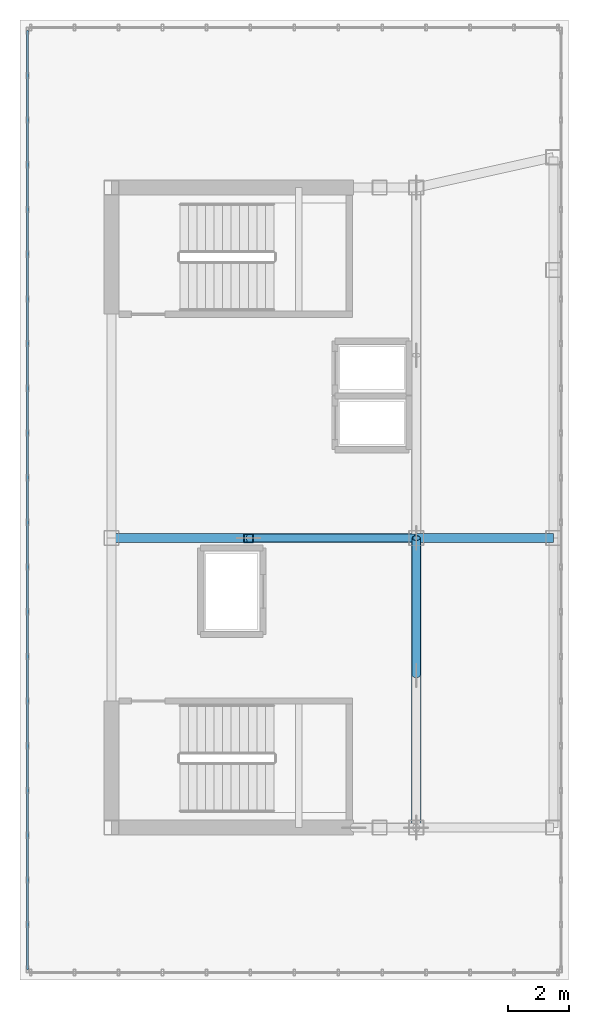
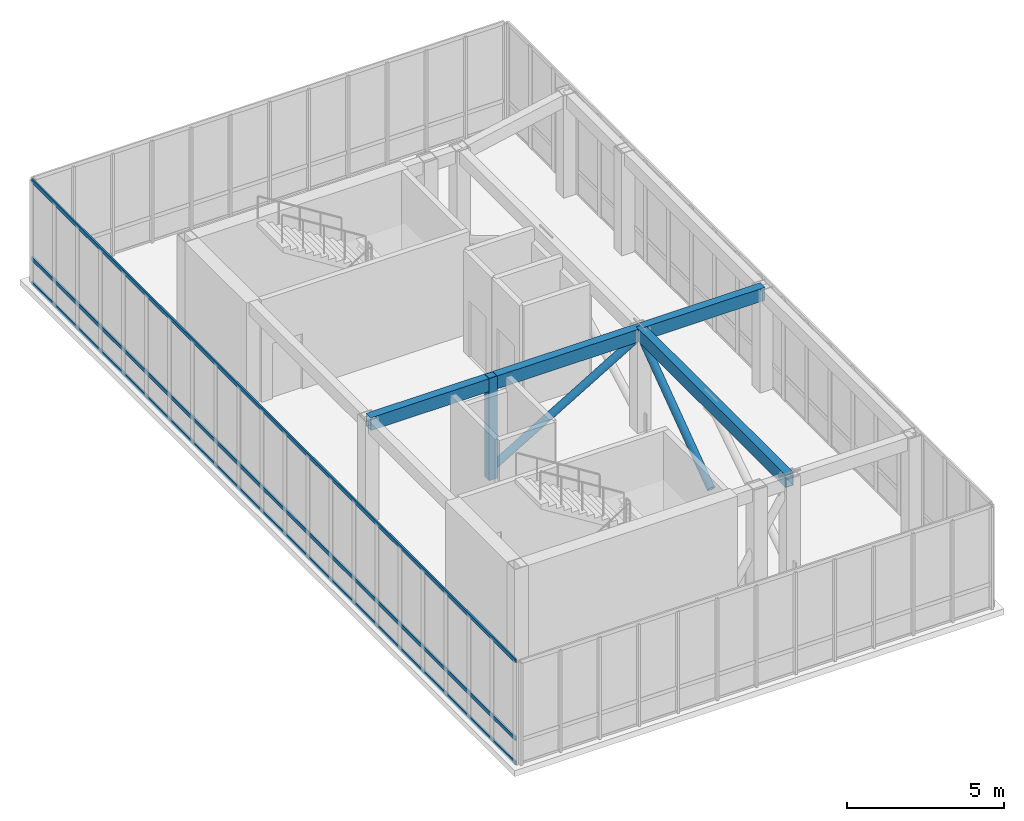
# One storey, part 5 of 13: 6 members, 3 beams, 1 element without a shape of its own.
"""IFC4 building model written with IfcOpenShell, lengths in metres."""

from ifc_helpers import new_model, si_unit, direction, frame, origin, origin_2d, place, context, subcontext, project, spatial, hollow_rectangle, hollow_circle, extrude, source, transform, mapped, material, layer, layer_set, material_profile, profile_set, type_object, element, aggregate, save


model = new_model("IFC4")

# Units and contexts
model_context = context("Model", 3, precision=1e-05, world=origin(), true_north=direction((0.0, 1.0)))
body_context = subcontext(model_context, "Body", "Model", "MODEL_VIEW")
ifc_project = project(units=[si_unit("LENGTHUNIT", "METRE"), si_unit("AREAUNIT", "SQUARE_METRE"), si_unit("VOLUMEUNIT", "CUBIC_METRE"), si_unit("PLANEANGLEUNIT", "RADIAN"), si_unit("MASSUNIT", "GRAM", prefix="KILO")], contexts=[model_context])

# Site, building, storey
site_placement = place(None, origin())
site = spatial("IfcSite", under=ifc_project, at=site_placement, CompositionType="ELEMENT")
building_placement = place(site_placement, origin())
building = spatial("IfcBuilding", under=site, at=building_placement, Name="Kharzan Plaza Tower", CompositionType="ELEMENT")
storey_placement = place(building_placement, frame((0.0, 0.0, 277.199951171875)))
storey = spatial("IfcBuildingStorey", under=building, at=storey_placement, Name="L75-CROWN", CompositionType="ELEMENT", Elevation=277.199951171875)

# Beams
ifc_material_1 = material(Name="Steel S355", Category="steel")
ifc_material_profile_1 = material_profile(ifc_material_1, hollow_rectangle(XDim=0.300048828125, YDim=0.5, WallThickness=0.02001953125, at=origin_2d()), Name="RHS500x300x20")
ifc_profile_set_1 = profile_set([ifc_material_profile_1], Name="Steel S355")
beam_type = type_object("IfcBeamType", Name="BM-CRN500", PredefinedType="BEAM", material=ifc_profile_set_1)
shared_shape_1 = source(origin(), body_context, "Body", "SweptSolid", [
    extrude(hollow_rectangle(XDim=0.300048828125, YDim=0.5, WallThickness=0.02001953125, at=origin_2d()), origin(), (0.0, 0.0, 1.0), 9.5),
])
beam_1_placement = place(storey_placement, frame((14.5, 8.5, 3.719970703125), z_axis=(0.0, 1.0, 0.0), x_axis=(-1.0, 0.0, 0.0)))
element("IfcBeam", 1, at=beam_1_placement, inside=storey, type_object=beam_type, Name="L75-CROWN CROWN FRAME Lantern Ring Beam CRB-M1", PredefinedType="BEAM", context=body_context, shape_type="MappedRepresentation", body=[
    mapped(shared_shape_1, transform((0.0, 0.0, 0.0), x_axis=(1.0, 0.0, 0.0), y_axis=(0.0, 1.0, 0.0), z_axis=(0.0, 0.0, 1.0))),
])
shared_shape_2 = source(origin(), body_context, "Body", "SweptSolid", [
    extrude(hollow_rectangle(XDim=0.300048828125, YDim=0.5, WallThickness=0.02001953125, at=origin_2d()), origin(), (0.0, 0.0, 1.0), 10.0),
])
beam_2_placement = place(storey_placement, frame((4.5, 18.0, 3.719970703125), z_axis=(1.0, 0.0, 0.0), x_axis=(0.0, 1.0, 0.0)))
element("IfcBeam", 2, at=beam_2_placement, inside=storey, type_object=beam_type, Name="L75-CROWN CROWN FRAME Lantern Ring Beam CRB-I1", PredefinedType="BEAM", context=body_context, shape_type="MappedRepresentation", body=[
    mapped(shared_shape_2, transform((0.0, 0.0, 0.0), x_axis=(1.0, 0.0, 0.0), y_axis=(0.0, 1.0, 0.0), z_axis=(0.0, 0.0, 1.0))),
])
shared_shape_3 = source(origin(), body_context, "Body", "SweptSolid", [
    extrude(hollow_rectangle(XDim=0.300048828125, YDim=0.5, WallThickness=0.02001953125, at=origin_2d()), origin(), (0.0, 0.0, 1.0), 4.5),
])
beam_3_placement = place(storey_placement, frame((14.5, 18.0, 3.719970703125), z_axis=(1.0, 0.0, 0.0), x_axis=(0.0, 1.0, 0.0)))
element("IfcBeam", 3, at=beam_3_placement, inside=storey, type_object=beam_type, Name="L75-CROWN CROWN FRAME Lantern Ring Beam CRB-I2", PredefinedType="BEAM", context=body_context, shape_type="MappedRepresentation", body=[
    mapped(shared_shape_3, transform((0.0, 0.0, 0.0), x_axis=(1.0, 0.0, 0.0), y_axis=(0.0, 1.0, 0.0), z_axis=(0.0, 0.0, 1.0))),
])

# Members
ifc_material_profile_2 = material_profile(ifc_material_1, hollow_circle(Radius=0.136474609375, WallThickness=0.010009765625, at=origin_2d()), Name="CHS273x10")
ifc_profile_set_2 = profile_set([ifc_material_profile_2], Name="Steel S355")
member_type_1 = type_object("IfcMemberType", Name="MEM-CRN-DIAG", PredefinedType="BRACE", material=ifc_profile_set_2)
shared_shape_4 = source(origin(), body_context, "Body", "SweptSolid", [
    extrude(hollow_circle(Radius=0.136474609375, WallThickness=0.010009765625, at=origin_2d()), origin(), (0.0, 0.0, 1.0), 6.398681640625),
])
member_1_placement = place(storey_placement, frame((9.0, 18.0, 0.35009765625), z_axis=(0.859553101499, 0.0, 0.511046441827), x_axis=(0.0, 1.0, 0.0)))
element("IfcMember", 4, at=member_1_placement, inside=storey, type_object=member_type_1, Name="L75-CROWN CROWN FRAME Diagonal Wind Brace CRD-W1", PredefinedType="BRACE", context=body_context, shape_type="MappedRepresentation", body=[
    mapped(shared_shape_4, transform((0.0, 0.0, 0.0), x_axis=(1.0, 0.0, 0.0), y_axis=(0.0, 1.0, 0.0), z_axis=(0.0, 0.0, 1.0))),
])
shared_shape_5 = source(origin(), body_context, "Body", "SweptSolid", [
    extrude(hollow_circle(Radius=0.136474609375, WallThickness=0.010009765625, at=origin_2d()), origin(), (0.0, 0.0, 1.0), 5.562744140625),
])
member_2_placement = place(storey_placement, frame((14.5, 13.5, 0.35009765625), z_axis=(0.0, 0.808967567345, 0.587853276748), x_axis=(-1.0, 0.0, 0.0)))
element("IfcMember", 5, at=member_2_placement, inside=storey, type_object=member_type_1, Name="L75-CROWN CROWN FRAME Diagonal Wind Brace CRD-S2", PredefinedType="BRACE", context=body_context, shape_type="MappedRepresentation", body=[
    mapped(shared_shape_5, transform((0.0, 0.0, 0.0), x_axis=(1.0, 0.0, 0.0), y_axis=(0.0, 1.0, 0.0), z_axis=(0.0, 0.0, 1.0))),
])
ifc_material_profile_3 = material_profile(ifc_material_1, hollow_rectangle(XDim=0.300048828125, YDim=0.300048828125, WallThickness=0.01611328125, at=origin_2d()), Name="SHS300x300x16")
ifc_profile_set_3 = profile_set([ifc_material_profile_3], Name="Steel S355")
member_type_2 = type_object("IfcMemberType", Name="MEM-CRN-POST", PredefinedType="POST", material=ifc_profile_set_3)
shared_shape_6 = source(origin(), body_context, "Body", "SweptSolid", [
    extrude(hollow_rectangle(XDim=0.300048828125, YDim=0.300048828125, WallThickness=0.01611328125, at=origin_2d()), origin(), (0.0, 0.0, 1.0), 3.969970703125),
])
member_3_placement = place(storey_placement, frame((9.0, 18.0, 0.0), z_axis=(0.0, 0.0, 1.0), x_axis=(1.0, 0.0, 0.0)))
element("IfcMember", 6, at=member_3_placement, inside=storey, type_object=member_type_2, Name="L75-CROWN CROWN FRAME Lantern Post 1", PredefinedType="POST", context=body_context, shape_type="MappedRepresentation", body=[
    mapped(shared_shape_6, transform((0.0, 0.0, 0.0), x_axis=(1.0, 0.0, 0.0), y_axis=(0.0, 1.0, 0.0), z_axis=(0.0, 0.0, 1.0))),
])

# Curtain wall, members
ifc_material_2 = material(Name="Unitised Bronze-Anodized Aluminium and Low-E Glass", Category="aluminium")
ifc_layer = layer(ifc_material_2, 0.199951171875)
ifc_layer_set = layer_set([ifc_layer], Name="Unitised Bronze-Anodized Aluminium and Low-E Glass")
curtain_wall_type = type_object("IfcCurtainWallType", Name="CW-LANTERN-6", PredefinedType="NOTDEFINED", material=ifc_layer_set)
curtain_wall_placement = place(storey_placement, origin())
curtain_wall = element("IfcCurtainWall", 7, at=curtain_wall_placement, inside=storey, type_object=curtain_wall_type, Name="L75-CROWN Lantern Crown Illuminated Curtain Wall 4", PredefinedType="NOTDEFINED")
ifc_material_3 = material(Name="Anodized Bronze Aluminium", Category="aluminium")
ifc_material_profile_4 = material_profile(ifc_material_3, hollow_rectangle(XDim=0.06005859375, YDim=0.14990234375, WallThickness=0.00341796875, at=origin_2d()), Name="ALU-T150x60x3.5")
ifc_profile_set_4 = profile_set([ifc_material_profile_4], Name="Anodized Bronze Aluminium")
member_type_3 = type_object("IfcMemberType", Name="MEM-CW-TRN150", PredefinedType="USERDEFINED", material=ifc_profile_set_4)
shared_shape_7 = source(origin(), body_context, "Body", "SweptSolid", [
    extrude(hollow_rectangle(XDim=0.06005859375, YDim=0.14990234375, WallThickness=0.00341796875, at=origin_2d()), origin(), (0.0, 0.0, 1.0), 30.7998046875),
])
member_4_placement = place(storey_placement, frame((1.75, 34.64990234375, 0.0), z_axis=(0.0, -1.0, 0.0), x_axis=(1.0, 0.0, 0.0)))
member_4 = element("IfcMember", 8, at=member_4_placement, type_object=member_type_3, Name="L75-CROWN Curtain-Wall Transom 1", ObjectType="TRANSOM", PredefinedType="USERDEFINED", context=body_context, shape_type="MappedRepresentation", body=[
    mapped(shared_shape_7, transform((0.0, 0.0, 0.0), x_axis=(1.0, 0.0, 0.0), y_axis=(0.0, 1.0, 0.0), z_axis=(0.0, 0.0, 1.0))),
])
member_5_placement = place(storey_placement, frame((1.75, 34.64990234375, 0.949951171875), z_axis=(0.0, -1.0, 0.0), x_axis=(1.0, 0.0, 0.0)))
member_5 = element("IfcMember", 9, at=member_5_placement, type_object=member_type_3, Name="L75-CROWN Curtain-Wall Transom 2", ObjectType="TRANSOM", PredefinedType="USERDEFINED", context=body_context, shape_type="MappedRepresentation", body=[
    mapped(shared_shape_7, transform((0.0, 0.0, 0.0), x_axis=(1.0, 0.0, 0.0), y_axis=(0.0, 1.0, 0.0), z_axis=(0.0, 0.0, 1.0))),
])
member_6_placement = place(storey_placement, frame((1.75, 34.64990234375, 3.969970703125), z_axis=(0.0, -1.0, 0.0), x_axis=(1.0, 0.0, 0.0)))
member_6 = element("IfcMember", 10, at=member_6_placement, type_object=member_type_3, Name="L75-CROWN Curtain-Wall Transom 3", ObjectType="TRANSOM", PredefinedType="USERDEFINED", context=body_context, shape_type="MappedRepresentation", body=[
    mapped(shared_shape_7, transform((0.0, 0.0, 0.0), x_axis=(1.0, 0.0, 0.0), y_axis=(0.0, 1.0, 0.0), z_axis=(0.0, 0.0, 1.0))),
])
aggregate(curtain_wall, [member_4, member_5, member_6])

save(model, "model.ifc")
